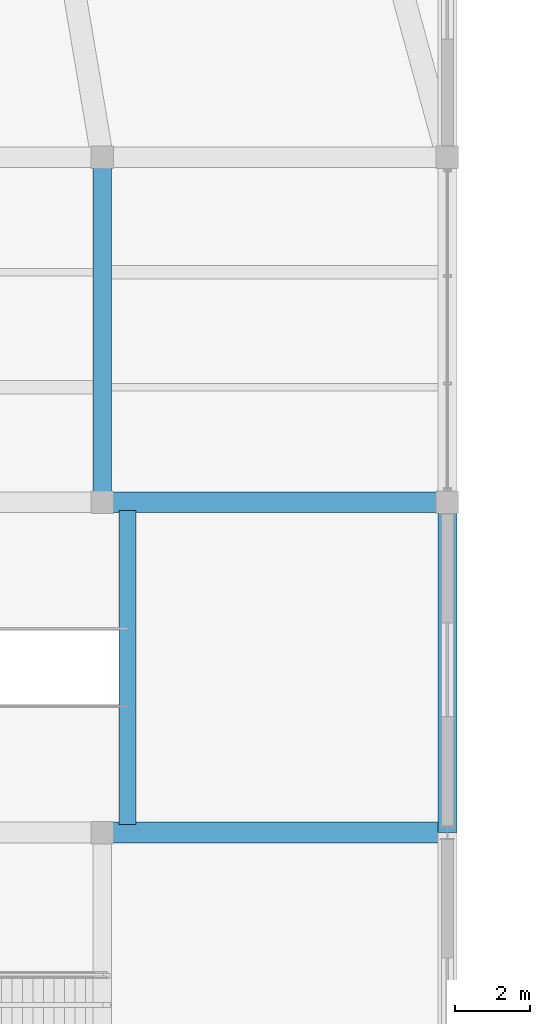
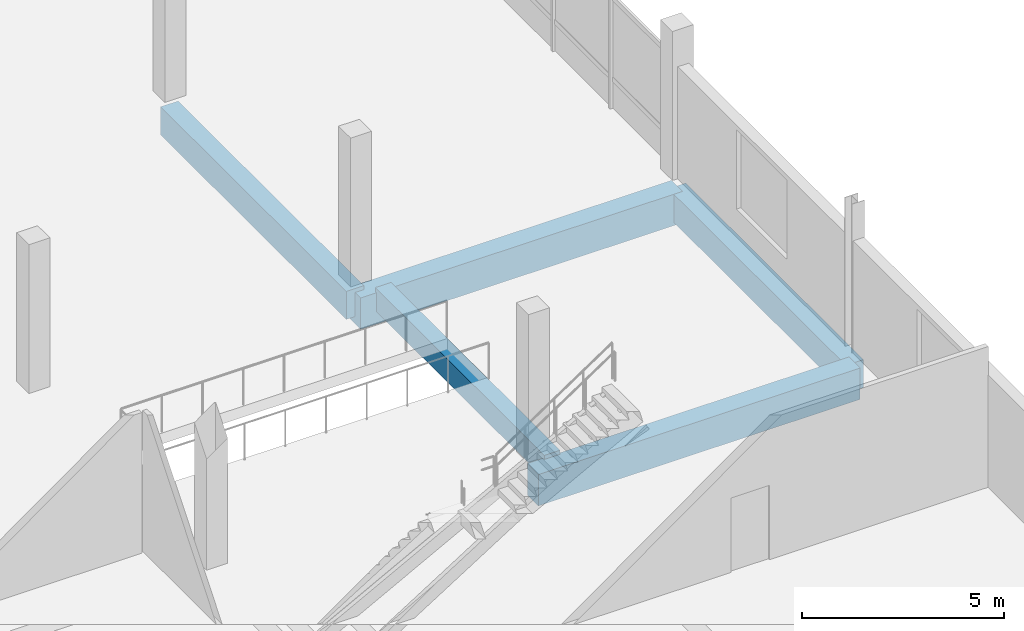
# One storey, part 31 of 77: 5 beams.
"""IFC4 building model written with IfcOpenShell, lengths in metres."""

import ifcopenshell
import ifcopenshell.guid

model = None  # the IFC model being written
_history = None  # IfcOwnerHistory: only IFC2X3 demands one
_inside = {}  # id of a spatial element -> (the spatial element, [elements in it])
_under = {}  # id of a project, library or spatial element -> (it, [spatial elements below it])
_declared = {}  # id of a project -> (the project, [libraries it declares])
_typed = {}  # id of a type object -> (the type object, [elements of that type])
_made_of = {}  # id of a material, layer set ... -> (it, [elements and type objects made of it])


def new_model(schema):
    """Start an empty IFC model of exactly this schema.

    Asked for "IFC4X3", IfcOpenShell would pick the latest addendum, in which some entities
    have other attributes; the version numbers below select the first issue.
    IFC2X3 requires an IfcOwnerHistory on every rooted entity: one is made here for all.
    """
    global model, _history
    if schema == "IFC4X3":
        model = ifcopenshell.file(schema_version=(4, 3, 0, 0))
    else:
        model = ifcopenshell.file(schema=schema)
    _inside.clear()
    _under.clear()
    _declared.clear()
    _typed.clear()
    _made_of.clear()
    _history = None
    if model.schema == "IFC2X3":
        org = make("IfcOrganization", Name="unknown")
        user = make(
            "IfcPersonAndOrganization",
            ThePerson=make("IfcPerson", FamilyName="unknown"),
            TheOrganization=org,
        )
        app = make(
            "IfcApplication",
            ApplicationDeveloper=org,
            Version="unknown",
            ApplicationFullName="unknown",
            ApplicationIdentifier="unknown",
        )
        _history = make(
            "IfcOwnerHistory",
            OwningUser=user,
            OwningApplication=app,
            ChangeAction="ADDED",
            CreationDate=0,
        )
    return model


def make(cls, **values):
    """One entity of the class cls with the attributes given. An attribute that is None is left unset."""
    return model.create_entity(
        cls, **{name: value for name, value in values.items() if value is not None}
    )


def rooted(cls, **values):
    """An entity with a GlobalId (a new one), such as an element, a storey or a relation."""
    return make(cls, GlobalId=ifcopenshell.guid.new(), OwnerHistory=_history, **values)


def si_unit(unit_type, name, prefix=None):
    """IfcSIUnit, for example si_unit("LENGTHUNIT", "METRE", prefix="MILLI")."""
    return make("IfcSIUnit", UnitType=unit_type, Prefix=prefix, Name=name)


def assignment(units):
    """IfcUnitAssignment: the units of a project."""
    return None if units is None else make("IfcUnitAssignment", Units=units)


def point(xyz):
    """IfcCartesianPoint."""
    return None if xyz is None else make("IfcCartesianPoint", Coordinates=xyz)


def direction(xyz):
    """IfcDirection."""
    return None if xyz is None else make("IfcDirection", DirectionRatios=xyz)


def frame(location, z_axis=None, x_axis=None):
    """IfcAxis2Placement3D, a coordinate frame: its origin and axes. An axis left out is left unset."""
    return make(
        "IfcAxis2Placement3D",
        Location=point(location),
        Axis=direction(z_axis),
        RefDirection=direction(x_axis),
    )


def frame_2d(location, x_axis=None):
    """IfcAxis2Placement2D, a coordinate frame in the plane: its origin and x axis."""
    return make(
        "IfcAxis2Placement2D", Location=point(location), RefDirection=direction(x_axis)
    )


def origin():
    """The frame at (0, 0, 0) with its axes left unset."""
    return frame((0.0, 0.0, 0.0))


def origin_2d():
    """The frame at (0, 0) in the plane with its x axis left unset."""
    return frame_2d((0.0, 0.0))


def place(relative_to, where):
    """IfcLocalPlacement: puts the frame where relative to a parent placement (None: the world)."""
    return make(
        "IfcLocalPlacement", PlacementRelTo=relative_to, RelativePlacement=where
    )


def context(
    kind, dimensions, precision=None, world=None, true_north=None, identifier=None
):
    """IfcGeometricRepresentationContext, for example the 3D "Model" context."""
    return make(
        "IfcGeometricRepresentationContext",
        ContextIdentifier=identifier,
        ContextType=kind,
        CoordinateSpaceDimension=dimensions,
        Precision=precision,
        WorldCoordinateSystem=world,
        TrueNorth=true_north,
    )


def subcontext(parent, identifier, kind, view, scale=None):
    """IfcGeometricRepresentationSubContext, for example "Body" below "Model"."""
    return make(
        "IfcGeometricRepresentationSubContext",
        ContextIdentifier=identifier,
        ContextType=kind,
        ParentContext=parent,
        TargetScale=scale,
        TargetView=view,
    )


def project(units=None, contexts=None):
    """IfcProject with its units and contexts."""
    return rooted(
        "IfcProject",
        Name="project",
        RepresentationContexts=contexts,
        UnitsInContext=assignment(units),
    )


def spatial(cls, under=None, at=None, **own):
    """A site, building, storey or space (cls), placed at a placement, below another one or the project."""
    s = rooted(cls, ObjectPlacement=at, **own)
    if under is not None:
        _under.setdefault(under.id(), (under, []))[1].append(s)
    return s


def profile(cls, at=None, kind="AREA", **sizes):
    """A parametric profile (cls). Its sizes go by their IFC names, for example OverallWidth=200.0."""
    return make(cls, ProfileType=kind, Position=at, **sizes)


def rectangle(**sizes):
    """IfcRectangleProfileDef."""
    return profile("IfcRectangleProfileDef", **sizes)


def extrude(swept, where, along, depth):
    """IfcExtrudedAreaSolid: the profile swept, set in the frame where, extruded along a direction by depth."""
    return make(
        "IfcExtrudedAreaSolid",
        SweptArea=swept,
        Position=where,
        ExtrudedDirection=direction(along),
        Depth=depth,
    )


def shape(context_of_items, identifier, shape_type, items):
    """IfcShapeRepresentation: the items that make up one representation, for example the "Body"."""
    return make(
        "IfcShapeRepresentation",
        ContextOfItems=context_of_items,
        RepresentationIdentifier=identifier,
        RepresentationType=shape_type,
        Items=items,
    )


def material(Name=None, Category=None):
    """IfcMaterial."""
    return make("IfcMaterial", Name=Name, Category=Category)


def material_profile(
    of_material, cross_section, Name=None, Category=None, Priority=None
):
    """IfcMaterialProfile: a cross section and its material."""
    return make(
        "IfcMaterialProfile",
        Name=Name,
        Material=of_material,
        Profile=cross_section,
        Priority=Priority,
        Category=Category,
    )


def profile_set(profiles, Name=None, composite=None):
    """IfcMaterialProfileSet."""
    return make(
        "IfcMaterialProfileSet",
        Name=Name,
        MaterialProfiles=profiles,
        CompositeProfile=composite,
    )


def made_of(thing, what):
    """Note that an element or type object is made of a material, layer set ...; save() writes the relation."""
    if what is not None:
        _made_of.setdefault(what.id(), (what, []))[1].append(thing)
    return thing


def type_object(cls, material=None, **own):
    """A type object (cls), such as IfcWallType, which elements share."""
    return made_of(rooted(cls, **own), material)


def element(
    cls,
    number,
    at=None,
    inside=None,
    cuts=None,
    type_object=None,
    material=None,
    context=None,
    identifier="Body",
    shape_type=None,
    held_by="IfcProductDefinitionShape",
    body=None,
    shapes=None,
    **own,
):
    """One element of the class cls, such as IfcWall. Its Tag is "e" and its number.

    at: its placement. inside: the storey or other place that contains it. cuts: it is an
    opening in that element (IfcRelVoidsElement). A single representation is given by context,
    identifier, shape_type and body (its items); several are given by shapes. held_by: the class
    of the entity that holds the representations. save() writes the other relations.
    """
    e = rooted(cls, Tag="e%d" % number, ObjectPlacement=at, **own)
    if body is not None:
        shapes = [shape(context, identifier, shape_type, body)]
    if shapes is not None:
        e.Representation = make(held_by, Representations=shapes)
    if inside is not None:
        _inside.setdefault(inside.id(), (inside, []))[1].append(e)
    if cuts is not None:
        rooted(
            "IfcRelVoidsElement", RelatingBuildingElement=cuts, RelatedOpeningElement=e
        )
    if type_object is not None:
        _typed.setdefault(type_object.id(), (type_object, []))[1].append(e)
    return made_of(e, material)


def aggregate(whole, parts):
    """IfcRelAggregates: a whole, such as a stair, and the parts it consists of."""
    return rooted("IfcRelAggregates", RelatingObject=whole, RelatedObjects=parts)


def save(model, path):
    """Write the relations noted so far, then the file.

    IfcRelAggregates (storeys below a building ...), IfcRelContainedInSpatialStructure (elements
    in a storey), IfcRelDefinesByType, IfcRelAssociatesMaterial and IfcRelDeclares: one each for
    every whole, place, type object, material and project.
    """
    for whole, parts in _under.values():
        aggregate(whole, parts)
    for where, things in _inside.values():
        rooted(
            "IfcRelContainedInSpatialStructure",
            RelatedElements=things,
            RelatingStructure=where,
        )
    for kind, things in _typed.values():
        rooted("IfcRelDefinesByType", RelatedObjects=things, RelatingType=kind)
    for what, things in _made_of.values():
        rooted("IfcRelAssociatesMaterial", RelatedObjects=things, RelatingMaterial=what)
    for by, libraries in _declared.values():
        rooted("IfcRelDeclares", RelatingContext=by, RelatedDefinitions=libraries)
    model.write(path)


model = new_model("IFC4")

# Units and contexts
model_context = context("Model", 3, precision=1e-05, world=origin(), true_north=direction((0.0, 1.0)))
body_context = subcontext(model_context, "Body", "Model", "MODEL_VIEW")
ifc_project = project(units=[si_unit("LENGTHUNIT", "METRE"), si_unit("AREAUNIT", "SQUARE_METRE"), si_unit("VOLUMEUNIT", "CUBIC_METRE"), si_unit("PLANEANGLEUNIT", "RADIAN"), si_unit("MASSUNIT", "GRAM", prefix="KILO")], contexts=[model_context])

# Site, building, storey
site_placement = place(None, origin())
site = spatial("IfcSite", under=ifc_project, at=site_placement, CompositionType="ELEMENT")
building_placement = place(site_placement, origin())
building = spatial("IfcBuilding", under=site, at=building_placement, Name="Meriwether Solvik Hall", CompositionType="ELEMENT")
storey_placement = place(building_placement, frame((0.0, 0.0, 9.89990234375)))
storey = spatial("IfcBuildingStorey", under=building, at=storey_placement, Name="L02", CompositionType="ELEMENT", Elevation=9.89990234375)

# Beams
ifc_material_1 = material(Name="Concrete C40/50", Category="concrete")
ifc_material_profile_1 = material_profile(ifc_material_1, rectangle(XDim=0.449951171875, YDim=0.699951171875, at=origin_2d()), Name="RCB-450X700")
ifc_profile_set_1 = profile_set([ifc_material_profile_1], Name="Concrete C40/50")
beam_type_1 = type_object("IfcBeamType", Name="BM-RC-450X700", PredefinedType="BEAM", material=ifc_profile_set_1)
beam_1_placement = place(storey_placement, frame((105.679931640625, 23.4150390625, -0.679931640625), z_axis=(0.0, 1.0, 0.0), x_axis=(-1.0, 0.0, 0.0)))
element("IfcBeam", 1, at=beam_1_placement, inside=storey, type_object=beam_type_1, Name="Stair ST-AT2 Top Trimmer Beam", PredefinedType="BEAM", context=body_context, shape_type="SweptSolid", body=[
    extrude(rectangle(XDim=0.449951171875, YDim=0.699951171875, at=origin_2d()), origin(), (0.0, 0.0, 1.0), 8.369873046875),
])
ifc_material_2 = material(Name="Concrete C40/50", Category="concrete")
ifc_material_profile_2 = material_profile(ifc_material_2, rectangle(XDim=0.5, YDim=0.85009765625, at=origin_2d()), Name="RCB-500X850")
ifc_profile_set_2 = profile_set([ifc_material_profile_2], Name="Concrete C40/50")
beam_type_2 = type_object("IfcBeamType", Name="BM-RC-500X850", PredefinedType="BEAM", material=ifc_profile_set_2)
beam_2_placement = place(storey_placement, frame((105.0, 32.0, -0.7548828125), z_axis=(0.0, 1.0, 0.0), x_axis=(-1.0, 0.0, 0.0)))
element("IfcBeam", 2, at=beam_2_placement, inside=storey, type_object=beam_type_2, Name="Podium Girder 12:D-E (L02)", PredefinedType="BEAM", context=body_context, shape_type="SweptSolid", body=[
    extrude(rectangle(XDim=0.5, YDim=0.85009765625, at=origin_2d()), origin(), (0.0, 0.0, 1.0), 9.199951171875),
])
beam_3_placement = place(storey_placement, frame((114.199951171875, 23.199951171875, -0.875), z_axis=(0.0, 1.0, 0.0), x_axis=(-1.0, 0.0, 0.0)))
element("IfcBeam", 3, at=beam_3_placement, inside=storey, type_object=beam_type_2, Name="Podium Girder 13:C-D (L02)", PredefinedType="BEAM", context=body_context, shape_type="SweptSolid", body=[
    extrude(rectangle(XDim=0.5, YDim=0.85009765625, at=origin_2d()), origin(), (0.0, 0.0, 1.0), 8.800048828125),
])
ifc_material_3 = material(Name="Concrete C40/50", Category="concrete")
ifc_material_profile_3 = material_profile(ifc_material_3, rectangle(XDim=0.550048828125, YDim=0.949951171875, at=origin_2d()), Name="RCB-550X950")
ifc_profile_set_3 = profile_set([ifc_material_profile_3], Name="Concrete C40/50")
beam_type_3 = type_object("IfcBeamType", Name="BM-RC-550X950", PredefinedType="BEAM", material=ifc_profile_set_3)
for number, where, z_axis, x_axis, name in (
    (4, (105.0, 23.199951171875, -0.9248046875), (1.0, 0.0, 0.0), (0.0, 1.0, 0.0), "Podium Girder C:12-13 (L02)"),
    (5, (105.0, 32.0, -0.9248046875), (1.0, 0.0, 0.0), (0.0, 1.0, 0.0), "Podium Girder D:12-13 (L02)"),
):
    element("IfcBeam", number, at=place(storey_placement, frame(where, z_axis=z_axis, x_axis=x_axis)), inside=storey, type_object=beam_type_3, Name=name, PredefinedType="BEAM", context=body_context, shape_type="SweptSolid", body=[
        extrude(rectangle(XDim=0.550048828125, YDim=0.949951171875, at=origin_2d()), origin(), (0.0, 0.0, 1.0), 9.199951171875),
    ])

save(model, "model.ifc")
